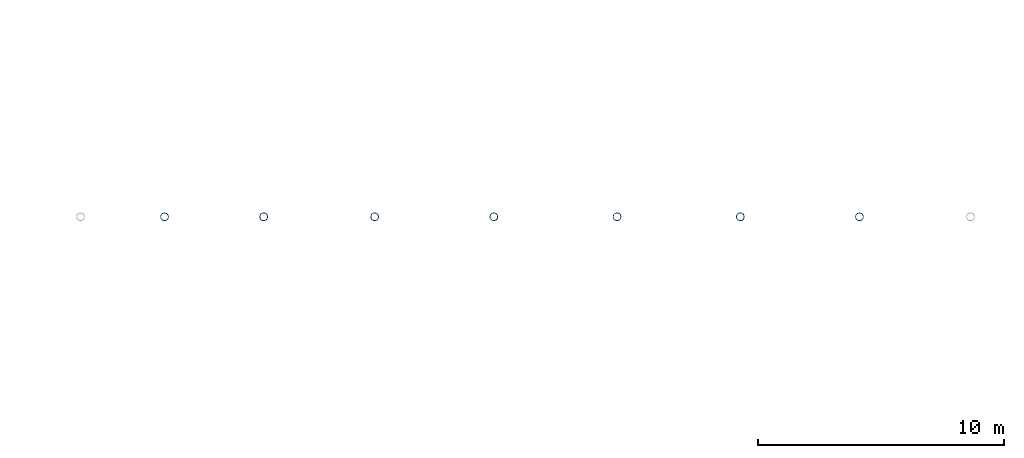
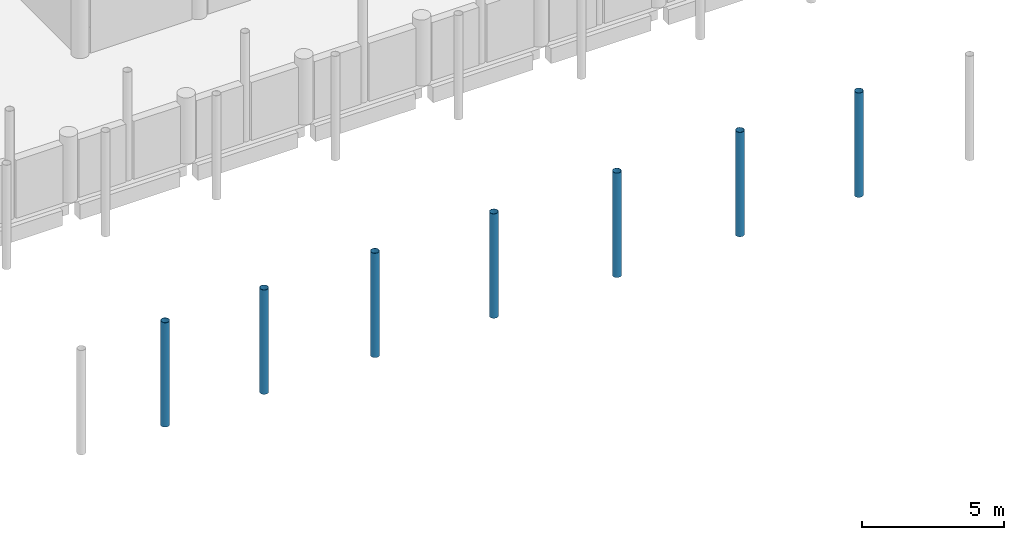
# One storey, part 6 of 164: 7 columns.
"""IFC4 building model written with IfcOpenShell, lengths in metres."""

from ifc_helpers import new_model, si_unit, direction, frame, origin, origin_2d, place, context, subcontext, project, spatial, hollow_circle, extrude, material, material_profile, profile_set, type_object, element, save


model = new_model("IFC4")

# Units and contexts
model_context = context("Model", 3, precision=1e-05, world=origin(), true_north=direction((0.0, 1.0)))
body_context = subcontext(model_context, "Body", "Model", "MODEL_VIEW")
ifc_project = project(units=[si_unit("LENGTHUNIT", "METRE"), si_unit("AREAUNIT", "SQUARE_METRE"), si_unit("VOLUMEUNIT", "CUBIC_METRE"), si_unit("PLANEANGLEUNIT", "RADIAN"), si_unit("MASSUNIT", "GRAM", prefix="KILO")], contexts=[model_context])

# Site, building, storey
site_placement = place(None, origin())
site = spatial("IfcSite", under=ifc_project, at=site_placement, CompositionType="ELEMENT")
building_placement = place(site_placement, origin())
building = spatial("IfcBuilding", under=site, at=building_placement, Name="Mawjan Specialist Oncology Clinic", CompositionType="ELEMENT")
storey_placement = place(building_placement, frame((0.0, 0.0, 5.0)))
storey = spatial("IfcBuildingStorey", under=building, at=storey_placement, Name="L01", CompositionType="ELEMENT", Elevation=5.0)

# Columns
ifc_material = material(Name="Structural steel S355", Category="steel")
ifc_material_profile = material_profile(ifc_material, hollow_circle(Radius=0.161865234375, WallThickness=0.011962890625, at=origin_2d()), Name="CHS 323.9x12", Category="steel")
ifc_profile_set = profile_set([ifc_material_profile], Name="Structural steel S355")
column_type = type_object("IfcColumnType", Name="SC-CHS324", PredefinedType="COLUMN", material=ifc_profile_set)
for number, where, z_axis, x_axis, name in (
    (1, (65.573486328125, 32.0, 0.0), (0.0, 0.0, 1.0), (1.0, 0.0, 0.0), "Courtyard Canopy Column 2 L01"),
    (2, (69.611328125, 32.0, 0.0), (0.0, 0.0, 1.0), (1.0, 0.0, 0.0), "Courtyard Canopy Column 3 L01"),
    (3, (74.131103515625, 32.0, 0.0), (0.0, 0.0, 1.0), (1.0, 0.0, 0.0), "Courtyard Canopy Column 4 L01"),
    (4, (78.981689453125, 32.0, 0.0), (0.0, 0.0, 1.0), (1.0, 0.0, 0.0), "Courtyard Canopy Column 5 L01"),
    (5, (84.0, 32.0, 0.0), (0.0, 0.0, 1.0), (1.0, 0.0, 0.0), "Courtyard Canopy Column 6 L01"),
    (6, (89.018310546875, 32.0, 0.0), (0.0, 0.0, 1.0), (1.0, 0.0, 0.0), "Courtyard Canopy Column 7 L01"),
    (7, (93.868896484375, 32.0, 0.0), (0.0, 0.0, 1.0), (1.0, 0.0, 0.0), "Courtyard Canopy Column 8 L01"),
):
    element("IfcColumn", number, at=place(storey_placement, frame(where, z_axis=z_axis, x_axis=x_axis)), inside=storey, type_object=column_type, Name=name, PredefinedType="COLUMN", context=body_context, shape_type="SweptSolid", body=[
        extrude(hollow_circle(Radius=0.161865234375, WallThickness=0.011962890625, at=origin_2d()), origin(), (0.0, 0.0, 1.0), 4.5),
    ])

save(model, "model.ifc")
